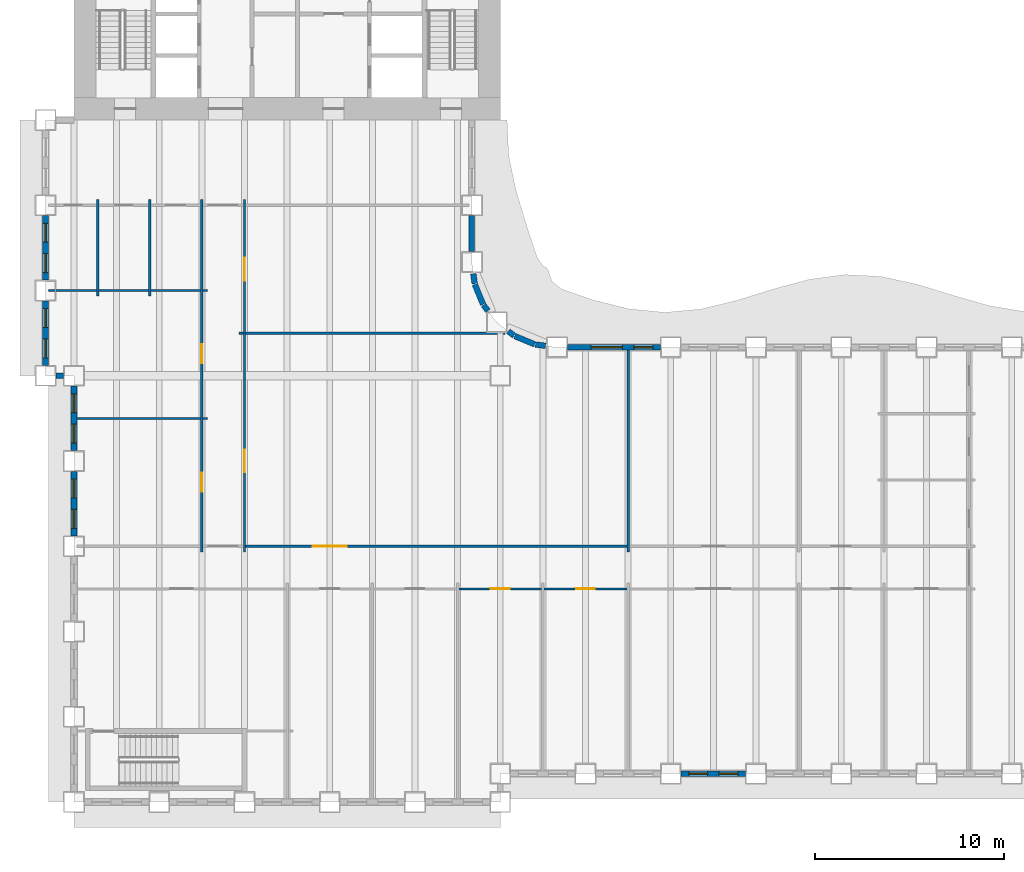
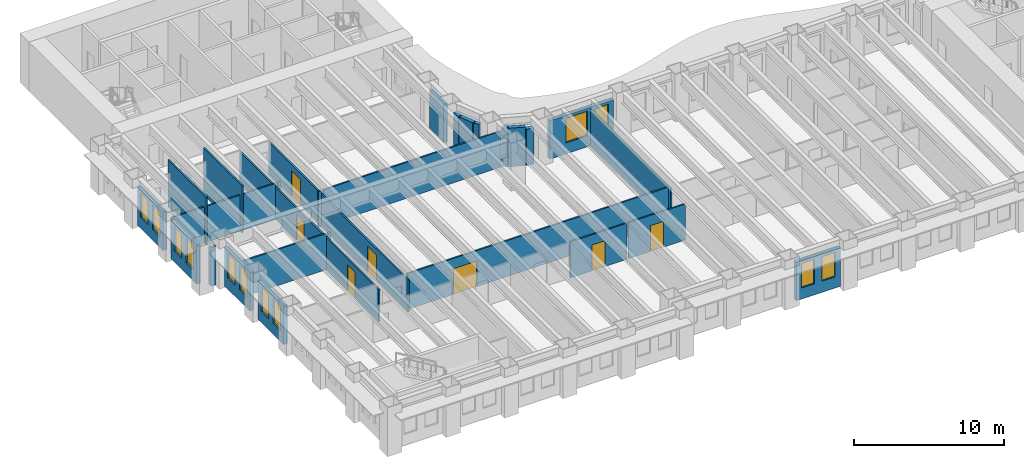
# One storey, part 4 of 15: 30 walls, 12 windows, 7 doors, 19 openings.
"""IFC4 building model written with IfcOpenShell, lengths in metres."""

from ifc_helpers import new_model, si_unit, direction, frame, frame_2d, origin, place, context, subcontext, project, spatial, rectangle, extrude, material, layer, layer_set, type_object, element, fill, save


model = new_model("IFC4")

# Units and contexts
model_context = context("Model", 3, precision=1e-05, world=origin(), true_north=direction((0.0, 1.0)))
body_context = subcontext(model_context, "Body", "Model", "MODEL_VIEW")
ifc_project = project(units=[si_unit("LENGTHUNIT", "METRE"), si_unit("AREAUNIT", "SQUARE_METRE"), si_unit("VOLUMEUNIT", "CUBIC_METRE"), si_unit("PLANEANGLEUNIT", "RADIAN"), si_unit("MASSUNIT", "GRAM", prefix="KILO")], contexts=[model_context])

# Site, building, storey
site_placement = place(None, origin())
site = spatial("IfcSite", under=ifc_project, at=site_placement, CompositionType="ELEMENT")
building_placement = place(site_placement, origin())
building = spatial("IfcBuilding", under=site, at=building_placement, Name="Sennacour Bend Tower", CompositionType="ELEMENT")
storey_placement = place(building_placement, frame((0.0, 0.0, 41.0)))
storey = spatial("IfcBuildingStorey", under=building, at=storey_placement, Name="L08", CompositionType="ELEMENT", Elevation=41.0)

# Walls
ifc_material_1 = material(Name="Plasterboard partition on steel studs", Category="steel")
ifc_layer_1 = layer(ifc_material_1, 0.1201171875, Name="Plasterboard partition on steel studs", Category="steel")
ifc_layer_set_1 = layer_set([ifc_layer_1], Name="Plasterboard partition on steel studs")
wall_type_1 = type_object("IfcWallType", Name="Partition 120", PredefinedType="PARTITIONING", material=ifc_layer_set_1)
for number, where, z_axis, x_axis, name in (
    (1, (1.25, 26.699951171875, 0.0), (0.0, 0.0, 1.0), (0.0, 1.0, 0.0), "P-L08-W004a"),
    (2, (4.0, 26.699951171875, 0.0), (0.0, 0.0, 1.0), (0.0, 1.0, 0.0), "P-L08-W005a"),
):
    element("IfcWall", number, at=place(storey_placement, frame(where, z_axis=z_axis, x_axis=x_axis)), inside=storey, type_object=wall_type_1, Name=name, PredefinedType="PARTITIONING", context=body_context, shape_type="SweptSolid", body=[
        extrude(rectangle(XDim=5.10009765625, YDim=0.1201171875, at=frame_2d((2.550048828125, 0.0))), origin(), (0.0, 0.0, 1.0), 3.85009765625),
    ])

# Wall, openings, doors
wall_1_placement = place(storey_placement, frame((6.75, 13.199951171875, 0.0), z_axis=(0.0, 0.0, 1.0), x_axis=(0.0, 1.0, 0.0)))
wall_1 = element("IfcWall", 3, at=wall_1_placement, inside=storey, type_object=wall_type_1, Name="P-L08-W010a", PredefinedType="PARTITIONING", context=body_context, shape_type="SweptSolid", body=[
    extrude(rectangle(XDim=18.60009765625, YDim=0.1201171875, at=frame_2d((9.300048828125, 0.0))), origin(), (0.0, 0.0, 1.0), 2.60009765625),
])
opening_1_placement = place(wall_1_placement, frame((3.175048828125, 0.0, 0.0)))
opening_1 = element("IfcOpeningElement", 4, at=opening_1_placement, cuts=wall_1, Name="Opening OD2", PredefinedType="OPENING", context=body_context, shape_type="SweptSolid", body=[
    extrude(rectangle(XDim=1.0, YDim=2.10009765625, at=frame_2d((0.5, 1.050048828125))), frame((0.0, 0.070068359375, 0.0), z_axis=(0.0, -1.0, 0.0), x_axis=(1.0, 0.0, 0.0)), (0.0, 0.0, 1.0), 0.14013671875),
])
opening_2_placement = place(wall_1_placement, frame((9.955078125, 0.0, 0.0)))
opening_2 = element("IfcOpeningElement", 5, at=opening_2_placement, cuts=wall_1, Name="Opening MD2", PredefinedType="OPENING", context=body_context, shape_type="SweptSolid", body=[
    extrude(rectangle(XDim=1.0, YDim=2.10009765625, at=frame_2d((0.5, 1.050048828125))), frame((0.0, 0.070068359375, 0.0), z_axis=(0.0, -1.0, 0.0), x_axis=(1.0, 0.0, 0.0)), (0.0, 0.0, 1.0), 0.14013671875),
])
ifc_material_2 = material(Name="Timber", Category="wood")
door_type_1 = type_object("IfcDoorType", Name="DR-MEETING-1000", OperationType="NOTDEFINED", PredefinedType="DOOR", material=ifc_material_2)
door_1_placement = place(opening_2_placement, origin())
door_1 = element("IfcDoor", 6, at=door_1_placement, inside=storey, type_object=door_type_1, Name="Door", OperationType="SINGLE_SWING_RIGHT", OverallHeight=2.10009765625, OverallWidth=1.0, PredefinedType="DOOR", context=body_context, shape_type="SweptSolid", body=[
    extrude(rectangle(XDim=1.0, YDim=2.10009765625, at=frame_2d((0.5, 1.050048828125))), frame((0.0, 0.02490234375, 0.0), z_axis=(0.0, -1.0, 0.0), x_axis=(1.0, 0.0, 0.0)), (0.0, 0.0, 1.0), 0.050048828125),
])
fill(opening_2, door_1)
door_type_2 = type_object("IfcDoorType", Name="DR-OFFICE-1000", OperationType="NOTDEFINED", PredefinedType="DOOR", material=ifc_material_2)
door_2_placement = place(opening_1_placement, origin())
door_2 = element("IfcDoor", 7, at=door_2_placement, inside=storey, type_object=door_type_2, Name="Door", OperationType="SINGLE_SWING_LEFT", OverallHeight=2.10009765625, OverallWidth=1.0, PredefinedType="DOOR", context=body_context, shape_type="SweptSolid", body=[
    extrude(rectangle(XDim=1.0, YDim=2.10009765625, at=frame_2d((0.5, 1.050048828125))), frame((0.0, 0.02490234375, 0.0), z_axis=(0.0, -1.0, 0.0), x_axis=(1.0, 0.0, 0.0)), (0.0, 0.0, 1.0), 0.050048828125),
])
fill(opening_1, door_2)

wall_2_placement = place(storey_placement, frame((9.0, 13.199951171875, 0.0), z_axis=(0.0, 0.0, 1.0), x_axis=(0.0, 1.0, 0.0)))
wall_2 = element("IfcWall", 8, at=wall_2_placement, inside=storey, type_object=wall_type_1, Name="P-L08-W012a", PredefinedType="PARTITIONING", context=body_context, shape_type="SweptSolid", body=[
    extrude(rectangle(XDim=18.60009765625, YDim=0.1201171875, at=frame_2d((9.300048828125, 0.0))), origin(), (0.0, 0.0, 1.0), 2.60009765625),
])
opening_3_placement = place(wall_2_placement, frame((14.324951171875, 0.0, 0.0)))
opening_3 = element("IfcOpeningElement", 9, at=opening_3_placement, cuts=wall_2, Name="Opening MD", PredefinedType="OPENING", context=body_context, shape_type="SweptSolid", body=[
    extrude(rectangle(XDim=1.199951171875, YDim=2.10009765625, at=frame_2d((0.60009765625, 1.050048828125))), frame((0.0, 0.070068359375, 0.0), z_axis=(0.0, -1.0, 0.0), x_axis=(1.0, 0.0, 0.0)), (0.0, 0.0, 1.0), 0.14013671875),
])
opening_4_placement = place(wall_2_placement, frame((4.199951171875, 0.0, 0.0)))
opening_4 = element("IfcOpeningElement", 10, at=opening_4_placement, cuts=wall_2, Name="Opening OD", PredefinedType="OPENING", context=body_context, shape_type="SweptSolid", body=[
    extrude(rectangle(XDim=1.199951171875, YDim=2.10009765625, at=frame_2d((0.60009765625, 1.050048828125))), frame((0.0, 0.070068359375, 0.0), z_axis=(0.0, -1.0, 0.0), x_axis=(1.0, 0.0, 0.0)), (0.0, 0.0, 1.0), 0.14013671875),
])
door_type_3 = type_object("IfcDoorType", Name="DR-MEETING-1200", OperationType="NOTDEFINED", PredefinedType="DOOR", material=ifc_material_2)
door_3_placement = place(opening_3_placement, origin())
door_3 = element("IfcDoor", 11, at=door_3_placement, inside=storey, type_object=door_type_3, Name="Door", OperationType="SINGLE_SWING_RIGHT", OverallHeight=2.10009765625, OverallWidth=1.199951171875, PredefinedType="DOOR", context=body_context, shape_type="SweptSolid", body=[
    extrude(rectangle(XDim=1.199951171875, YDim=2.10009765625, at=frame_2d((0.60009765625, 1.050048828125))), frame((0.0, 0.02490234375, 0.0), z_axis=(0.0, -1.0, 0.0), x_axis=(1.0, 0.0, 0.0)), (0.0, 0.0, 1.0), 0.050048828125),
])
fill(opening_3, door_3)
door_type_4 = type_object("IfcDoorType", Name="DR-OFFICE-1200", OperationType="NOTDEFINED", PredefinedType="DOOR", material=ifc_material_2)
door_4_placement = place(opening_4_placement, origin())
door_4 = element("IfcDoor", 12, at=door_4_placement, inside=storey, type_object=door_type_4, Name="Door", OperationType="SINGLE_SWING_LEFT", OverallHeight=2.10009765625, OverallWidth=1.199951171875, PredefinedType="DOOR", context=body_context, shape_type="SweptSolid", body=[
    extrude(rectangle(XDim=1.199951171875, YDim=2.10009765625, at=frame_2d((0.60009765625, 1.050048828125))), frame((0.0, 0.02490234375, 0.0), z_axis=(0.0, -1.0, 0.0), x_axis=(1.0, 0.0, 0.0)), (0.0, 0.0, 1.0), 0.050048828125),
])
fill(opening_4, door_4)

# Wall
wall_3_placement = place(storey_placement, frame((29.25, 13.199951171875, 0.0), z_axis=(0.0, 0.0, 1.0), x_axis=(0.0, 1.0, 0.0)))
element("IfcWall", 13, at=wall_3_placement, inside=storey, type_object=wall_type_1, Name="P-L08-W027a", PredefinedType="PARTITIONING", context=body_context, shape_type="SweptSolid", body=[
    extrude(rectangle(XDim=10.650146484375, YDim=0.1201171875, at=frame_2d((5.3251953125, 0.0))), origin(), (0.0, 0.0, 1.0), 2.93798828125),
])

# Wall, opening, door
wall_4_placement = place(storey_placement, frame((20.31005859375, 11.25, 0.0), z_axis=(0.0, 0.0, 1.0), x_axis=(1.0, 0.0, 0.0)))
wall_4 = element("IfcWall", 14, at=wall_4_placement, inside=storey, type_object=wall_type_1, Name="P-L08-W056ad", PredefinedType="PARTITIONING", context=body_context, shape_type="SweptSolid", body=[
    extrude(rectangle(XDim=4.3798828125, YDim=0.1201171875, at=frame_2d((2.18994140625, 0.0))), origin(), (0.0, 0.0, 1.0), 2.93798828125),
])
opening_5_placement = place(wall_4_placement, frame((1.68994140625, 0.0, 0.0)))
opening_5 = element("IfcOpeningElement", 15, at=opening_5_placement, cuts=wall_4, Name="Opening OD2", PredefinedType="OPENING", context=body_context, shape_type="SweptSolid", body=[
    extrude(rectangle(XDim=1.0, YDim=2.10009765625, at=frame_2d((0.5, 1.050048828125))), frame((0.0, 0.070068359375, 0.0), z_axis=(0.0, -1.0, 0.0), x_axis=(1.0, 0.0, 0.0)), (0.0, 0.0, 1.0), 0.14013671875),
])
door_5_placement = place(opening_5_placement, origin())
door_5 = element("IfcDoor", 16, at=door_5_placement, inside=storey, type_object=door_type_2, Name="Door", OperationType="SINGLE_SWING_LEFT", OverallHeight=2.10009765625, OverallWidth=1.0, PredefinedType="DOOR", context=body_context, shape_type="SweptSolid", body=[
    extrude(rectangle(XDim=1.0, YDim=2.10009765625, at=frame_2d((0.5, 1.050048828125))), frame((0.0, 0.02490234375, 0.0), z_axis=(0.0, -1.0, 0.0), x_axis=(1.0, 0.0, 0.0)), (0.0, 0.0, 1.0), 0.050048828125),
])
fill(opening_5, door_5)

wall_5_placement = place(storey_placement, frame((24.81005859375, 11.25, 0.0), z_axis=(0.0, 0.0, 1.0), x_axis=(1.0, 0.0, 0.0)))
wall_5 = element("IfcWall", 17, at=wall_5_placement, inside=storey, type_object=wall_type_1, Name="P-L08-W056ae", PredefinedType="PARTITIONING", context=body_context, shape_type="SweptSolid", body=[
    extrude(rectangle(XDim=4.3798828125, YDim=0.1201171875, at=frame_2d((2.18994140625, 0.0))), origin(), (0.0, 0.0, 1.0), 2.93798828125),
])
opening_6_placement = place(wall_5_placement, frame((1.68994140625, 0.0, 0.0)))
opening_6 = element("IfcOpeningElement", 18, at=opening_6_placement, cuts=wall_5, Name="Opening OD2", PredefinedType="OPENING", context=body_context, shape_type="SweptSolid", body=[
    extrude(rectangle(XDim=1.0, YDim=2.10009765625, at=frame_2d((0.5, 1.050048828125))), frame((0.0, 0.070068359375, 0.0), z_axis=(0.0, -1.0, 0.0), x_axis=(1.0, 0.0, 0.0)), (0.0, 0.0, 1.0), 0.14013671875),
])
door_6_placement = place(opening_6_placement, origin())
door_6 = element("IfcDoor", 19, at=door_6_placement, inside=storey, type_object=door_type_2, Name="Door", OperationType="SINGLE_SWING_LEFT", OverallHeight=2.10009765625, OverallWidth=1.0, PredefinedType="DOOR", context=body_context, shape_type="SweptSolid", body=[
    extrude(rectangle(XDim=1.0, YDim=2.10009765625, at=frame_2d((0.5, 1.050048828125))), frame((0.0, 0.02490234375, 0.0), z_axis=(0.0, -1.0, 0.0), x_axis=(1.0, 0.0, 0.0)), (0.0, 0.0, 1.0), 0.050048828125),
])
fill(opening_6, door_6)

wall_6_placement = place(storey_placement, frame((9.06005859375, 13.5, 0.0), z_axis=(0.0, 0.0, 1.0), x_axis=(1.0, 0.0, 0.0)))
wall_6 = element("IfcWall", 20, at=wall_6_placement, inside=storey, type_object=wall_type_1, Name="P-L08-W058ac", PredefinedType="PARTITIONING", context=body_context, shape_type="SweptSolid", body=[
    extrude(rectangle(XDim=20.1298828125, YDim=0.1201171875, at=frame_2d((10.06494140625, 0.0))), origin(), (0.0, 0.0, 1.0), 2.93798828125),
])
opening_7_placement = place(wall_6_placement, frame((3.539794921875, 0.0, 0.0)))
opening_7 = element("IfcOpeningElement", 21, at=opening_7_placement, cuts=wall_6, Name="Opening OD3", PredefinedType="OPENING", context=body_context, shape_type="SweptSolid", body=[
    extrude(rectangle(XDim=1.800048828125, YDim=2.10009765625, at=frame_2d((0.89990234375, 1.050048828125))), frame((0.0, 0.070068359375, 0.0), z_axis=(0.0, -1.0, 0.0), x_axis=(1.0, 0.0, 0.0)), (0.0, 0.0, 1.0), 0.14013671875),
])
door_type_5 = type_object("IfcDoorType", Name="DR-OFFICE-1800", OperationType="NOTDEFINED", PredefinedType="DOOR", material=ifc_material_2)
door_7_placement = place(opening_7_placement, origin())
door_7 = element("IfcDoor", 22, at=door_7_placement, inside=storey, type_object=door_type_5, Name="Door", OperationType="DOUBLE_DOOR_SINGLE_SWING", OverallHeight=2.10009765625, OverallWidth=1.800048828125, PredefinedType="DOOR", context=body_context, shape_type="SweptSolid", body=[
    extrude(rectangle(XDim=1.800048828125, YDim=2.10009765625, at=frame_2d((0.89990234375, 1.050048828125))), frame((0.0, 0.02490234375, 0.0), z_axis=(0.0, -1.0, 0.0), x_axis=(1.0, 0.0, 0.0)), (0.0, 0.0, 1.0), 0.050048828125),
])
fill(opening_7, door_7)

# Walls
wall_7_placement = place(storey_placement, frame((0.14990234375, 20.25, 0.0), z_axis=(0.0, 0.0, 1.0), x_axis=(1.0, 0.0, 0.0)))
element("IfcWall", 23, at=wall_7_placement, inside=storey, type_object=wall_type_1, Name="P-L08-W066aa", PredefinedType="PARTITIONING", context=body_context, shape_type="SweptSolid", body=[
    extrude(rectangle(XDim=6.5400390625, YDim=0.1201171875, at=frame_2d((3.27001953125, 0.0))), origin(), (0.0, 0.0, 1.0), 2.93798828125),
])
for number, where, z_axis, x_axis, name in (
    (24, (6.81005859375, 20.25, 0.0), (0.0, 0.0, 1.0), (1.0, 0.0, 0.0), "P-L08-W066ab"),
    (25, (8.699951171875, 24.75, 0.0), (0.0, 0.0, 1.0), (1.0, 0.0, 0.0), "P-L08-W069aa"),
):
    element("IfcWall", number, at=place(storey_placement, frame(where, z_axis=z_axis, x_axis=x_axis)), inside=storey, type_object=wall_type_1, Name=name, PredefinedType="PARTITIONING", context=body_context, shape_type="SweptSolid", body=[
        extrude(rectangle(XDim=0.239990234375, YDim=0.1201171875, at=frame_2d((0.1201171875, 0.0))), origin(), (0.0, 0.0, 1.0), 2.93798828125),
    ])
wall_8_placement = place(storey_placement, frame((9.06005859375, 24.75, 0.0), z_axis=(0.0, 0.0, 1.0), x_axis=(1.0, 0.0, 0.0)))
element("IfcWall", 26, at=wall_8_placement, inside=storey, type_object=wall_type_1, Name="P-L08-W069ab", PredefinedType="PARTITIONING", context=body_context, shape_type="SweptSolid", body=[
    extrude(rectangle(XDim=13.6904296875, YDim=0.1201171875, at=frame_2d((6.84521484375, 0.0))), origin(), (0.0, 0.0, 1.0), 2.93798828125),
])
wall_9_placement = place(storey_placement, frame((-1.35009765625, 27.0, 0.0), z_axis=(0.0, 0.0, 1.0), x_axis=(1.0, 0.0, 0.0)))
element("IfcWall", 27, at=wall_9_placement, inside=storey, type_object=wall_type_1, Name="P-L08-W070aa", PredefinedType="PARTITIONING", context=body_context, shape_type="SweptSolid", body=[
    extrude(rectangle(XDim=2.5400390625, YDim=0.1201171875, at=frame_2d((1.27001953125, 0.0))), origin(), (0.0, 0.0, 1.0), 2.93798828125),
])
for number, where, z_axis, x_axis, name in (
    (28, (1.31005859375, 27.0, 0.0), (0.0, 0.0, 1.0), (1.0, 0.0, 0.0), "P-L08-W070ab"),
    (29, (4.06005859375, 27.0, 0.0), (0.0, 0.0, 1.0), (1.0, 0.0, 0.0), "P-L08-W070ac"),
):
    element("IfcWall", number, at=place(storey_placement, frame(where, z_axis=z_axis, x_axis=x_axis)), inside=storey, type_object=wall_type_1, Name=name, PredefinedType="PARTITIONING", context=body_context, shape_type="SweptSolid", body=[
        extrude(rectangle(XDim=2.6298828125, YDim=0.1201171875, at=frame_2d((1.31494140625, 0.0))), origin(), (0.0, 0.0, 1.0), 2.93798828125),
    ])
wall_10_placement = place(storey_placement, frame((6.81005859375, 27.0, 0.0), z_axis=(0.0, 0.0, 1.0), x_axis=(1.0, 0.0, 0.0)))
element("IfcWall", 30, at=wall_10_placement, inside=storey, type_object=wall_type_1, Name="P-L08-W070ad", PredefinedType="PARTITIONING", context=body_context, shape_type="SweptSolid", body=[
    extrude(rectangle(XDim=0.239990234375, YDim=0.1201171875, at=frame_2d((0.1201171875, 0.0))), origin(), (0.0, 0.0, 1.0), 2.93798828125),
])

# Wall, openings, windows
ifc_material_3 = material(Name="Warm limestone cladding", Category="masonry")
ifc_layer_2 = layer(ifc_material_3, 0.050048828125, Name="Warm limestone cladding", Category="masonry")
ifc_material_4 = material(Name="Precast concrete C40/50", Category="concrete")
ifc_layer_3 = layer(ifc_material_4, 0.25, Name="Precast concrete C40/50", Category="concrete")
ifc_layer_set_2 = layer_set([ifc_layer_2, ifc_layer_3], Name="Precast concrete C40/50 with limestone cladding")
wall_type_2 = type_object("IfcWallType", Name="STONE-CLAD PRECAST SPANDREL 300", PredefinedType="STANDARD", material=ifc_layer_set_2)
wall_11_placement = place(storey_placement, frame((32.050048828125, 1.5, 0.0), z_axis=(0.0, 0.0, 1.0), x_axis=(1.0, 0.0, 0.0)))
wall_11 = element("IfcWall", 31, at=wall_11_placement, inside=storey, type_object=wall_type_2, Name="Stone spandrel and pier wall L08 02.02", PredefinedType="STANDARD", context=body_context, shape_type="SweptSolid", body=[
    extrude(rectangle(XDim=3.39990234375, YDim=0.300048828125, at=frame_2d((1.699951171875, 0.0))), origin(), (0.0, 0.0, 1.0), 3.14404296875),
])
opening_8_placement = place(wall_11_placement, frame((0.39990234375, 0.0, 0.89990234375)))
opening_8 = element("IfcOpeningElement", 32, at=opening_8_placement, cuts=wall_11, Name="Opening W8", PredefinedType="OPENING", context=body_context, shape_type="SweptSolid", body=[
    extrude(rectangle(XDim=1.0, YDim=2.0, at=frame_2d((0.5, 1.0))), frame((0.0, 0.16015625, 0.0), z_axis=(0.0, -1.0, 0.0), x_axis=(1.0, 0.0, 0.0)), (0.0, 0.0, 1.0), 0.320068359375),
])
opening_9_placement = place(wall_11_placement, frame((2.0, 0.0, 0.89990234375)))
opening_9 = element("IfcOpeningElement", 33, at=opening_9_placement, cuts=wall_11, Name="Opening W8", PredefinedType="OPENING", context=body_context, shape_type="SweptSolid", body=[
    extrude(rectangle(XDim=1.0, YDim=2.0, at=frame_2d((0.5, 1.0))), frame((0.0, 0.16015625, 0.0), z_axis=(0.0, -1.0, 0.0), x_axis=(1.0, 0.0, 0.0)), (0.0, 0.0, 1.0), 0.320068359375),
])
ifc_material_5 = material(Name="Clear low-emissivity glass", Category="glass")
window_type_1 = type_object("IfcWindowType", Name="WIN-RIBBON-1000x2000", PartitioningType="SINGLE_PANEL", PredefinedType="WINDOW", material=ifc_material_5)
window_1_placement = place(opening_8_placement, origin())
window_1 = element("IfcWindow", 34, at=window_1_placement, inside=storey, type_object=window_type_1, Name="Ribbon window L08 02.02.0", OverallHeight=2.0, OverallWidth=1.0, PartitioningType="SINGLE_PANEL", PredefinedType="WINDOW", context=body_context, shape_type="SweptSolid", body=[
    extrude(rectangle(XDim=1.0, YDim=2.0, at=frame_2d((0.5, 1.0))), frame((0.0, 0.030029296875, 0.0), z_axis=(0.0, -1.0, 0.0), x_axis=(1.0, 0.0, 0.0)), (0.0, 0.0, 1.0), 0.06005859375),
])
fill(opening_8, window_1)
window_2_placement = place(opening_9_placement, origin())
window_2 = element("IfcWindow", 35, at=window_2_placement, inside=storey, type_object=window_type_1, Name="Ribbon window L08 02.02.1", OverallHeight=2.0, OverallWidth=1.0, PartitioningType="SINGLE_PANEL", PredefinedType="WINDOW", context=body_context, shape_type="SweptSolid", body=[
    extrude(rectangle(XDim=1.0, YDim=2.0, at=frame_2d((0.5, 1.0))), frame((0.0, 0.030029296875, 0.0), z_axis=(0.0, -1.0, 0.0), x_axis=(1.0, 0.0, 0.0)), (0.0, 0.0, 1.0), 0.06005859375),
])
fill(opening_9, window_2)

wall_12_placement = place(storey_placement, frame((30.949951171875, 24.0, 0.0), z_axis=(0.0, 0.0, 1.0), x_axis=(-1.0, 0.0, 0.0)))
wall_12 = element("IfcWall", 36, at=wall_12_placement, inside=storey, type_object=wall_type_2, Name="Stone spandrel and pier wall L08 08.05", PredefinedType="STANDARD", context=body_context, shape_type="SweptSolid", body=[
    extrude(rectangle(XDim=4.89990234375, YDim=0.300048828125, at=frame_2d((2.449951171875, 0.0))), origin(), (0.0, 0.0, 1.0), 3.14404296875),
])
opening_10_placement = place(wall_12_placement, frame((0.39990234375, 0.0, 0.89990234375)))
opening_10 = element("IfcOpeningElement", 37, at=opening_10_placement, cuts=wall_12, Name="Opening W8", PredefinedType="OPENING", context=body_context, shape_type="SweptSolid", body=[
    extrude(rectangle(XDim=1.0, YDim=2.0, at=frame_2d((0.5, 1.0))), frame((0.0, 0.16015625, 0.0), z_axis=(0.0, -1.0, 0.0), x_axis=(1.0, 0.0, 0.0)), (0.0, 0.0, 1.0), 0.320068359375),
])
opening_11_placement = place(wall_12_placement, frame((2.0, 0.0, 0.89990234375)))
opening_11 = element("IfcOpeningElement", 38, at=opening_11_placement, cuts=wall_12, Name="Opening W10", PredefinedType="OPENING", context=body_context, shape_type="SweptSolid", body=[
    extrude(rectangle(XDim=1.64990234375, YDim=2.0, at=frame_2d((0.824951171875, 1.0))), frame((0.0, 0.16015625, 0.0), z_axis=(0.0, -1.0, 0.0), x_axis=(1.0, 0.0, 0.0)), (0.0, 0.0, 1.0), 0.320068359375),
])
window_3_placement = place(opening_10_placement, origin())
window_3 = element("IfcWindow", 39, at=window_3_placement, inside=storey, type_object=window_type_1, Name="Ribbon window L08 08.05.0", OverallHeight=2.0, OverallWidth=1.0, PartitioningType="SINGLE_PANEL", PredefinedType="WINDOW", context=body_context, shape_type="SweptSolid", body=[
    extrude(rectangle(XDim=1.0, YDim=2.0, at=frame_2d((0.5, 1.0))), frame((0.0, 0.030029296875, 0.0), z_axis=(0.0, -1.0, 0.0), x_axis=(1.0, 0.0, 0.0)), (0.0, 0.0, 1.0), 0.06005859375),
])
fill(opening_10, window_3)
window_type_2 = type_object("IfcWindowType", Name="WIN-RIBBON-1650x2000", PartitioningType="SINGLE_PANEL", PredefinedType="WINDOW", material=ifc_material_5)
window_4_placement = place(opening_11_placement, origin())
window_4 = element("IfcWindow", 40, at=window_4_placement, inside=storey, type_object=window_type_2, Name="Ribbon window L08 08.05.1", OverallHeight=2.0, OverallWidth=1.64990234375, PartitioningType="SINGLE_PANEL", PredefinedType="WINDOW", context=body_context, shape_type="SweptSolid", body=[
    extrude(rectangle(XDim=1.64990234375, YDim=2.0, at=frame_2d((0.824951171875, 1.0))), frame((0.0, 0.030029296875, 0.0), z_axis=(0.0, -1.0, 0.0), x_axis=(1.0, 0.0, 0.0)), (0.0, 0.0, 1.0), 0.06005859375),
])
fill(opening_11, window_4)

# Walls
wall_13_placement = place(storey_placement, frame((24.88818359375, 24.08056640625, 0.0), z_axis=(0.0, 0.0, 1.0), x_axis=(-0.991417173479, 0.130736330569, 0.0)))
element("IfcWall", 41, at=wall_13_placement, inside=storey, type_object=wall_type_2, Name="Stone spandrel and pier wall L08 09.00", PredefinedType="STANDARD", context=body_context, shape_type="SweptSolid", body=[
    extrude(rectangle(XDim=0.537841796875, YDim=0.300048828125, at=frame_2d((0.26904296875, 0.0))), origin(), (0.0, 0.0, 1.0), 2.93798828125),
])
wall_14_placement = place(storey_placement, frame((24.317138671875, 24.160888671875, 0.0), z_axis=(0.0, 0.0, 1.0), x_axis=(-0.923914616768, 0.382598720491, 0.0)))
element("IfcWall", 42, at=wall_14_placement, inside=storey, type_object=wall_type_2, Name="Stone spandrel and pier wall L08 10.00", PredefinedType="STANDARD", context=body_context, shape_type="SweptSolid", body=[
    extrude(rectangle(XDim=1.13525390625, YDim=0.300048828125, at=frame_2d((0.567626953125, 0.0))), origin(), (0.0, 0.0, 1.0), 3.14404296875),
])
for number, where, z_axis, x_axis, name in (
    (43, (23.234375, 24.614990234375, 0.0), (0.0, 0.0, 1.0), (-0.79354495224, 0.60851163405, 0.0), "Stone spandrel and pier wall L08 11.00"),
    (44, (21.8486328125, 25.9296875, 0.0), (0.0, 0.0, 1.0), (-0.60851163405, 0.79354495224, 0.0), "Stone spandrel and pier wall L08 12.00"),
):
    element("IfcWall", number, at=place(storey_placement, frame(where, z_axis=z_axis, x_axis=x_axis)), inside=storey, type_object=wall_type_2, Name=name, PredefinedType="STANDARD", context=body_context, shape_type="SweptSolid", body=[
        extrude(rectangle(XDim=0.384033203125, YDim=0.300048828125, at=frame_2d((0.19189453125, 0.0))), origin(), (0.0, 0.0, 1.0), 3.14404296875),
    ])
wall_15_placement = place(storey_placement, frame((21.59521484375, 26.268310546875, 0.0), z_axis=(0.0, 0.0, 1.0), x_axis=(-0.382598720491, 0.923914616768, 0.0)))
element("IfcWall", 45, at=wall_15_placement, inside=storey, type_object=wall_type_2, Name="Stone spandrel and pier wall L08 13.00", PredefinedType="STANDARD", context=body_context, shape_type="SweptSolid", body=[
    extrude(rectangle(XDim=1.13525390625, YDim=0.300048828125, at=frame_2d((0.567626953125, 0.0))), origin(), (0.0, 0.0, 1.0), 3.14404296875),
])
wall_16_placement = place(storey_placement, frame((21.15087890625, 27.35498046875, 0.0), z_axis=(0.0, 0.0, 1.0), x_axis=(-0.130736330569, 0.991417173479, 0.0)))
element("IfcWall", 46, at=wall_16_placement, inside=storey, type_object=wall_type_2, Name="Stone spandrel and pier wall L08 14.00", PredefinedType="STANDARD", context=body_context, shape_type="SweptSolid", body=[
    extrude(rectangle(XDim=0.537841796875, YDim=0.300048828125, at=frame_2d((0.26904296875, 0.0))), origin(), (0.0, 0.0, 1.0), 3.14404296875),
])
wall_17_placement = place(storey_placement, frame((21.0, 29.050048828125, 0.0), z_axis=(0.0, 0.0, 1.0), x_axis=(0.0, 1.0, 0.0)))
element("IfcWall", 47, at=wall_17_placement, inside=storey, type_object=wall_type_2, Name="Stone spandrel and pier wall L08 15.00", PredefinedType="STANDARD", context=body_context, shape_type="SweptSolid", body=[
    extrude(rectangle(XDim=1.89990234375, YDim=0.300048828125, at=frame_2d((0.949951171875, 0.0))), origin(), (0.0, 0.0, 1.0), 3.14404296875),
])

# Wall, openings, windows
wall_18_placement = place(storey_placement, frame((-1.5, 30.949951171875, 0.0), z_axis=(0.0, 0.0, 1.0), x_axis=(0.0, -1.0, 0.0)))
wall_18 = element("IfcWall", 48, at=wall_18_placement, inside=storey, type_object=wall_type_2, Name="Stone spandrel and pier wall L08 21.01", PredefinedType="STANDARD", context=body_context, shape_type="SweptSolid", body=[
    extrude(rectangle(XDim=3.39990234375, YDim=0.300048828125, at=frame_2d((1.699951171875, 0.0))), origin(), (0.0, 0.0, 1.0), 3.14404296875),
])
opening_12_placement = place(wall_18_placement, frame((0.39990234375, 0.0, 0.89990234375)))
opening_12 = element("IfcOpeningElement", 49, at=opening_12_placement, cuts=wall_18, Name="Opening W8", PredefinedType="OPENING", context=body_context, shape_type="SweptSolid", body=[
    extrude(rectangle(XDim=1.0, YDim=2.0, at=frame_2d((0.5, 1.0))), frame((0.0, 0.16015625, 0.0), z_axis=(0.0, -1.0, 0.0), x_axis=(1.0, 0.0, 0.0)), (0.0, 0.0, 1.0), 0.320068359375),
])
opening_13_placement = place(wall_18_placement, frame((2.0, 0.0, 0.89990234375)))
opening_13 = element("IfcOpeningElement", 50, at=opening_13_placement, cuts=wall_18, Name="Opening W8", PredefinedType="OPENING", context=body_context, shape_type="SweptSolid", body=[
    extrude(rectangle(XDim=1.0, YDim=2.0, at=frame_2d((0.5, 1.0))), frame((0.0, 0.16015625, 0.0), z_axis=(0.0, -1.0, 0.0), x_axis=(1.0, 0.0, 0.0)), (0.0, 0.0, 1.0), 0.320068359375),
])
window_5_placement = place(opening_12_placement, origin())
window_5 = element("IfcWindow", 51, at=window_5_placement, inside=storey, type_object=window_type_1, Name="Ribbon window L08 21.01.0", OverallHeight=2.0, OverallWidth=1.0, PartitioningType="SINGLE_PANEL", PredefinedType="WINDOW", context=body_context, shape_type="SweptSolid", body=[
    extrude(rectangle(XDim=1.0, YDim=2.0, at=frame_2d((0.5, 1.0))), frame((0.0, 0.030029296875, 0.0), z_axis=(0.0, -1.0, 0.0), x_axis=(1.0, 0.0, 0.0)), (0.0, 0.0, 1.0), 0.06005859375),
])
fill(opening_12, window_5)
window_6_placement = place(opening_13_placement, origin())
window_6 = element("IfcWindow", 52, at=window_6_placement, inside=storey, type_object=window_type_1, Name="Ribbon window L08 21.01.1", OverallHeight=2.0, OverallWidth=1.0, PartitioningType="SINGLE_PANEL", PredefinedType="WINDOW", context=body_context, shape_type="SweptSolid", body=[
    extrude(rectangle(XDim=1.0, YDim=2.0, at=frame_2d((0.5, 1.0))), frame((0.0, 0.030029296875, 0.0), z_axis=(0.0, -1.0, 0.0), x_axis=(1.0, 0.0, 0.0)), (0.0, 0.0, 1.0), 0.06005859375),
])
fill(opening_13, window_6)

wall_19_placement = place(storey_placement, frame((-1.5, 26.449951171875, 0.0), z_axis=(0.0, 0.0, 1.0), x_axis=(0.0, -1.0, 0.0)))
wall_19 = element("IfcWall", 53, at=wall_19_placement, inside=storey, type_object=wall_type_2, Name="Stone spandrel and pier wall L08 21.02", PredefinedType="STANDARD", context=body_context, shape_type="SweptSolid", body=[
    extrude(rectangle(XDim=3.39990234375, YDim=0.300048828125, at=frame_2d((1.699951171875, 0.0))), origin(), (0.0, 0.0, 1.0), 3.14404296875),
])
opening_14_placement = place(wall_19_placement, frame((0.39990234375, 0.0, 0.89990234375)))
opening_14 = element("IfcOpeningElement", 54, at=opening_14_placement, cuts=wall_19, Name="Opening W8", PredefinedType="OPENING", context=body_context, shape_type="SweptSolid", body=[
    extrude(rectangle(XDim=1.0, YDim=2.0, at=frame_2d((0.5, 1.0))), frame((0.0, 0.16015625, 0.0), z_axis=(0.0, -1.0, 0.0), x_axis=(1.0, 0.0, 0.0)), (0.0, 0.0, 1.0), 0.320068359375),
])
opening_15_placement = place(wall_19_placement, frame((2.0, 0.0, 0.89990234375)))
opening_15 = element("IfcOpeningElement", 55, at=opening_15_placement, cuts=wall_19, Name="Opening W8", PredefinedType="OPENING", context=body_context, shape_type="SweptSolid", body=[
    extrude(rectangle(XDim=1.0, YDim=2.0, at=frame_2d((0.5, 1.0))), frame((0.0, 0.16015625, 0.0), z_axis=(0.0, -1.0, 0.0), x_axis=(1.0, 0.0, 0.0)), (0.0, 0.0, 1.0), 0.320068359375),
])
window_7_placement = place(opening_14_placement, origin())
window_7 = element("IfcWindow", 56, at=window_7_placement, inside=storey, type_object=window_type_1, Name="Ribbon window L08 21.02.0", OverallHeight=2.0, OverallWidth=1.0, PartitioningType="SINGLE_PANEL", PredefinedType="WINDOW", context=body_context, shape_type="SweptSolid", body=[
    extrude(rectangle(XDim=1.0, YDim=2.0, at=frame_2d((0.5, 1.0))), frame((0.0, 0.030029296875, 0.0), z_axis=(0.0, -1.0, 0.0), x_axis=(1.0, 0.0, 0.0)), (0.0, 0.0, 1.0), 0.06005859375),
])
fill(opening_14, window_7)
window_8_placement = place(opening_15_placement, origin())
window_8 = element("IfcWindow", 57, at=window_8_placement, inside=storey, type_object=window_type_1, Name="Ribbon window L08 21.02.1", OverallHeight=2.0, OverallWidth=1.0, PartitioningType="SINGLE_PANEL", PredefinedType="WINDOW", context=body_context, shape_type="SweptSolid", body=[
    extrude(rectangle(XDim=1.0, YDim=2.0, at=frame_2d((0.5, 1.0))), frame((0.0, 0.030029296875, 0.0), z_axis=(0.0, -1.0, 0.0), x_axis=(1.0, 0.0, 0.0)), (0.0, 0.0, 1.0), 0.06005859375),
])
fill(opening_15, window_8)

# Wall
wall_20_placement = place(storey_placement, frame((-0.949951171875, 22.5, 0.0), z_axis=(0.0, 0.0, 1.0), x_axis=(1.0, 0.0, 0.0)))
element("IfcWall", 58, at=wall_20_placement, inside=storey, type_object=wall_type_2, Name="Stone spandrel and pier wall L08 22.00", PredefinedType="STANDARD", context=body_context, shape_type="SweptSolid", body=[
    extrude(rectangle(XDim=0.39990234375, YDim=0.300048828125, at=frame_2d((0.199951171875, 0.0))), origin(), (0.0, 0.0, 1.0), 3.14404296875),
])

# Wall, openings, windows
wall_21_placement = place(storey_placement, frame((0.0, 21.949951171875, 0.0), z_axis=(0.0, 0.0, 1.0), x_axis=(0.0, -1.0, 0.0)))
wall_21 = element("IfcWall", 59, at=wall_21_placement, inside=storey, type_object=wall_type_2, Name="Stone spandrel and pier wall L08 23.00", PredefinedType="STANDARD", context=body_context, shape_type="SweptSolid", body=[
    extrude(rectangle(XDim=3.39990234375, YDim=0.300048828125, at=frame_2d((1.699951171875, 0.0))), origin(), (0.0, 0.0, 1.0), 3.14404296875),
])
opening_16_placement = place(wall_21_placement, frame((0.39990234375, 0.0, 0.89990234375)))
opening_16 = element("IfcOpeningElement", 60, at=opening_16_placement, cuts=wall_21, Name="Opening W8", PredefinedType="OPENING", context=body_context, shape_type="SweptSolid", body=[
    extrude(rectangle(XDim=1.0, YDim=2.0, at=frame_2d((0.5, 1.0))), frame((0.0, 0.16015625, 0.0), z_axis=(0.0, -1.0, 0.0), x_axis=(1.0, 0.0, 0.0)), (0.0, 0.0, 1.0), 0.320068359375),
])
opening_17_placement = place(wall_21_placement, frame((2.0, 0.0, 0.89990234375)))
opening_17 = element("IfcOpeningElement", 61, at=opening_17_placement, cuts=wall_21, Name="Opening W8", PredefinedType="OPENING", context=body_context, shape_type="SweptSolid", body=[
    extrude(rectangle(XDim=1.0, YDim=2.0, at=frame_2d((0.5, 1.0))), frame((0.0, 0.16015625, 0.0), z_axis=(0.0, -1.0, 0.0), x_axis=(1.0, 0.0, 0.0)), (0.0, 0.0, 1.0), 0.320068359375),
])
window_9_placement = place(opening_16_placement, origin())
window_9 = element("IfcWindow", 62, at=window_9_placement, inside=storey, type_object=window_type_1, Name="Ribbon window L08 23.00.0", OverallHeight=2.0, OverallWidth=1.0, PartitioningType="SINGLE_PANEL", PredefinedType="WINDOW", context=body_context, shape_type="SweptSolid", body=[
    extrude(rectangle(XDim=1.0, YDim=2.0, at=frame_2d((0.5, 1.0))), frame((0.0, 0.030029296875, 0.0), z_axis=(0.0, -1.0, 0.0), x_axis=(1.0, 0.0, 0.0)), (0.0, 0.0, 1.0), 0.06005859375),
])
fill(opening_16, window_9)
window_10_placement = place(opening_17_placement, origin())
window_10 = element("IfcWindow", 63, at=window_10_placement, inside=storey, type_object=window_type_1, Name="Ribbon window L08 23.00.1", OverallHeight=2.0, OverallWidth=1.0, PartitioningType="SINGLE_PANEL", PredefinedType="WINDOW", context=body_context, shape_type="SweptSolid", body=[
    extrude(rectangle(XDim=1.0, YDim=2.0, at=frame_2d((0.5, 1.0))), frame((0.0, 0.030029296875, 0.0), z_axis=(0.0, -1.0, 0.0), x_axis=(1.0, 0.0, 0.0)), (0.0, 0.0, 1.0), 0.06005859375),
])
fill(opening_17, window_10)

wall_22_placement = place(storey_placement, frame((0.0, 17.449951171875, 0.0), z_axis=(0.0, 0.0, 1.0), x_axis=(0.0, -1.0, 0.0)))
wall_22 = element("IfcWall", 64, at=wall_22_placement, inside=storey, type_object=wall_type_2, Name="Stone spandrel and pier wall L08 23.01", PredefinedType="STANDARD", context=body_context, shape_type="SweptSolid", body=[
    extrude(rectangle(XDim=3.39990234375, YDim=0.300048828125, at=frame_2d((1.699951171875, 0.0))), origin(), (0.0, 0.0, 1.0), 3.14404296875),
])
opening_18_placement = place(wall_22_placement, frame((0.39990234375, 0.0, 0.89990234375)))
opening_18 = element("IfcOpeningElement", 65, at=opening_18_placement, cuts=wall_22, Name="Opening W8", PredefinedType="OPENING", context=body_context, shape_type="SweptSolid", body=[
    extrude(rectangle(XDim=1.0, YDim=2.0, at=frame_2d((0.5, 1.0))), frame((0.0, 0.16015625, 0.0), z_axis=(0.0, -1.0, 0.0), x_axis=(1.0, 0.0, 0.0)), (0.0, 0.0, 1.0), 0.320068359375),
])
opening_19_placement = place(wall_22_placement, frame((2.0, 0.0, 0.89990234375)))
opening_19 = element("IfcOpeningElement", 66, at=opening_19_placement, cuts=wall_22, Name="Opening W8", PredefinedType="OPENING", context=body_context, shape_type="SweptSolid", body=[
    extrude(rectangle(XDim=1.0, YDim=2.0, at=frame_2d((0.5, 1.0))), frame((0.0, 0.16015625, 0.0), z_axis=(0.0, -1.0, 0.0), x_axis=(1.0, 0.0, 0.0)), (0.0, 0.0, 1.0), 0.320068359375),
])
window_11_placement = place(opening_18_placement, origin())
window_11 = element("IfcWindow", 67, at=window_11_placement, inside=storey, type_object=window_type_1, Name="Ribbon window L08 23.01.0", OverallHeight=2.0, OverallWidth=1.0, PartitioningType="SINGLE_PANEL", PredefinedType="WINDOW", context=body_context, shape_type="SweptSolid", body=[
    extrude(rectangle(XDim=1.0, YDim=2.0, at=frame_2d((0.5, 1.0))), frame((0.0, 0.030029296875, 0.0), z_axis=(0.0, -1.0, 0.0), x_axis=(1.0, 0.0, 0.0)), (0.0, 0.0, 1.0), 0.06005859375),
])
fill(opening_18, window_11)
window_12_placement = place(opening_19_placement, origin())
window_12 = element("IfcWindow", 68, at=window_12_placement, inside=storey, type_object=window_type_1, Name="Ribbon window L08 23.01.1", OverallHeight=2.0, OverallWidth=1.0, PartitioningType="SINGLE_PANEL", PredefinedType="WINDOW", context=body_context, shape_type="SweptSolid", body=[
    extrude(rectangle(XDim=1.0, YDim=2.0, at=frame_2d((0.5, 1.0))), frame((0.0, 0.030029296875, 0.0), z_axis=(0.0, -1.0, 0.0), x_axis=(1.0, 0.0, 0.0)), (0.0, 0.0, 1.0), 0.06005859375),
])
fill(opening_19, window_12)

save(model, "model.ifc")
